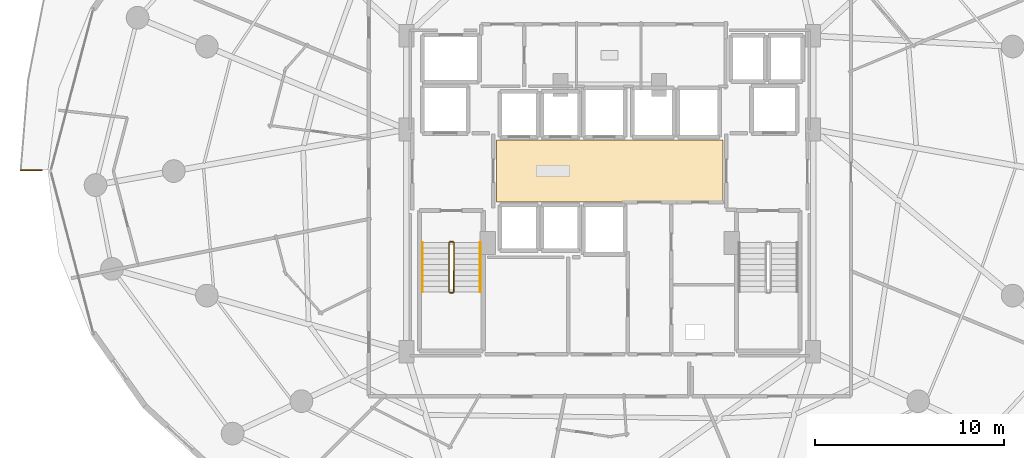
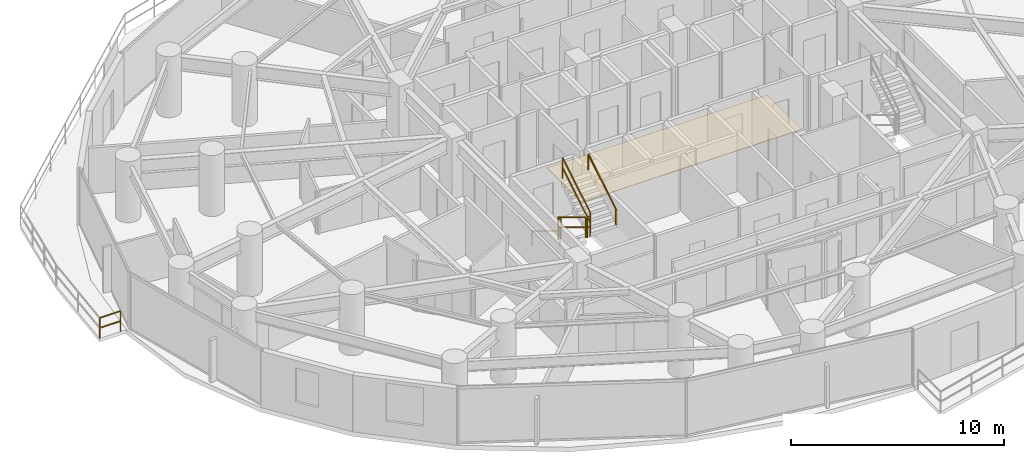
# One storey, part 32 of 35: 7 railings, 1 covering.
"""IFC4 building model written with IfcOpenShell, lengths in metres."""

from ifc_helpers import new_model, si_unit, direction, frame, origin, origin_2d, place, context, subcontext, project, spatial, polyline, rectangle, outline, extrude, material, layer, layer_set, type_object, element, save


model = new_model("IFC4")

# Units and contexts
model_context = context("Model", 3, precision=1e-05, world=origin(), true_north=direction((0.0, 1.0)))
body_context = subcontext(model_context, "Body", "Model", "MODEL_VIEW")
ifc_project = project(units=[si_unit("LENGTHUNIT", "METRE"), si_unit("AREAUNIT", "SQUARE_METRE"), si_unit("VOLUMEUNIT", "CUBIC_METRE"), si_unit("PLANEANGLEUNIT", "RADIAN"), si_unit("MASSUNIT", "GRAM", prefix="KILO")], contexts=[model_context])

# Site, building, storey
site_placement = place(None, origin())
site = spatial("IfcSite", under=ifc_project, at=site_placement, CompositionType="ELEMENT")
building_placement = place(site_placement, origin())
building = spatial("IfcBuilding", under=site, at=building_placement, Name="Vorneva Point Tower", CompositionType="ELEMENT")
storey_placement = place(building_placement, frame((0.0, 0.0, 52.0)))
storey = spatial("IfcBuildingStorey", under=building, at=storey_placement, Name="L13", CompositionType="ELEMENT", Elevation=52.0)

# Covering
ifc_material_1 = material(Name="Acoustic wool hospitality carpet", Category="textile")
ifc_layer = layer(ifc_material_1, 0.01806640625)
ifc_layer_set = layer_set([ifc_layer], Name="Acoustic wool hospitality carpet")
covering_type = type_object("IfcCoveringType", Name="COV-FLR-CRP", PredefinedType="FLOORING", material=ifc_layer_set)
covering_placement = place(storey_placement, frame((0.0, 0.0, -0.0048828125)))
element("IfcCovering", 1, at=covering_placement, inside=storey, type_object=covering_type, Name="L13 Lift Lobby Floor Finish", PredefinedType="FLOORING", context=body_context, shape_type="SweptSolid", body=[
    extrude(outline(polyline([(32.02001953125, 24.3701171875), (43.97998046875, 24.3701171875), (43.97998046875, 27.6298828125), (32.02001953125, 27.6298828125), (32.02001953125, 24.3701171875)])), origin(), (0.0, 0.0, 1.0), 0.02294921875),
])

# Railings
ifc_material_2 = material(Name="Pale anodised aluminium", Category="aluminium")
railing_type_1 = type_object("IfcRailingType", Name="RL-BAL-1200", PredefinedType="BALUSTRADE", material=ifc_material_2)
railing_1_placement = place(storey_placement, frame((6.84912109375, 26.050048828125, 0.0)))
element("IfcRailing", 2, at=railing_1_placement, inside=storey, type_object=railing_type_1, Name="L13 Wave Balcony Balustrade NW.1", PredefinedType="BALUSTRADE", context=body_context, shape_type="SweptSolid", body=[
    extrude(rectangle(XDim=0.048095703125, YDim=0.048095703125, at=origin_2d()), frame((0.0, 0.0, 1.17578125), z_axis=(1.0, 0.0, 0.0), x_axis=(0.0, 1.0, 0.0)), (0.0, 0.0, 1.0), 1.134765625),
    extrude(rectangle(XDim=0.048095703125, YDim=0.048095703125, at=origin_2d()), frame((0.0, 0.0, 0.60009765625), z_axis=(1.0, 0.0, 0.0), x_axis=(0.0, 1.0, 0.0)), (0.0, 0.0, 1.0), 1.134765625),
    extrude(rectangle(XDim=0.0419921875, YDim=0.0419921875, at=origin_2d()), origin(), (0.0, 0.0, 1.0), 1.15185546875),
    extrude(rectangle(XDim=0.0419921875, YDim=0.0419921875, at=origin_2d()), frame((1.134765625, 0.0, 0.0)), (0.0, 0.0, 1.0), 1.15185546875),
])
ifc_material_3 = material(Name="Brushed stainless steel S304", Category="steel")
railing_type_2 = type_object("IfcRailingType", Name="RL-HND-920", PredefinedType="HANDRAIL", material=ifc_material_3)
railing_2_placement = place(storey_placement, frame((28.10009765625, 22.219970703125, 0.175048828125)))
element("IfcRailing", 3, at=railing_2_placement, inside=storey, type_object=railing_type_2, Name="L13 ST1 stair handrail 1", PredefinedType="HANDRAIL", context=body_context, shape_type="SweptSolid", body=[
    extrude(rectangle(XDim=0.048095703125, YDim=0.048095703125, at=origin_2d()), frame((0.0, 0.0, 0.8759765625), z_axis=(0.0, -0.85618277418, 0.516673066065), x_axis=(1.0, 0.0, 0.0)), (0.0, 0.0, 1.0), 3.04833984375),
    extrude(rectangle(XDim=0.0419921875, YDim=0.0419921875, at=origin_2d()), origin(), (0.0, 0.0, 1.0), 0.851806640625),
    extrude(rectangle(XDim=0.0419921875, YDim=0.0419921875, at=origin_2d()), frame((0.0, -2.60986328125, 1.574951171875)), (0.0, 0.0, 1.0), 0.851806640625),
])
railing_3_placement = place(storey_placement, frame((31.14990234375, 19.610107421875, 1.925048828125)))
element("IfcRailing", 4, at=railing_3_placement, inside=storey, type_object=railing_type_2, Name="L13 ST1 stair handrail 2", PredefinedType="HANDRAIL", context=body_context, shape_type="SweptSolid", body=[
    extrude(rectangle(XDim=0.048095703125, YDim=0.048095703125, at=origin_2d()), frame((0.0, 0.0, 0.8759765625), z_axis=(0.0, 0.85618277418, 0.516673066065), x_axis=(-1.0, 0.0, 0.0)), (0.0, 0.0, 1.0), 3.04833984375),
    extrude(rectangle(XDim=0.0419921875, YDim=0.0419921875, at=origin_2d()), origin(), (0.0, 0.0, 1.0), 0.851806640625),
    extrude(rectangle(XDim=0.0419921875, YDim=0.0419921875, at=origin_2d()), frame((0.0, 2.60986328125, 1.574951171875)), (0.0, 0.0, 1.0), 0.851806640625),
])
railing_type_3 = type_object("IfcRailingType", Name="RL-STG-1100", PredefinedType="GUARDRAIL", material=ifc_material_3)
railing_4_placement = place(storey_placement, frame((29.5, 22.219970703125, 0.175048828125)))
element("IfcRailing", 5, at=railing_4_placement, inside=storey, type_object=railing_type_3, Name="L13 ST1 stair guard 1", PredefinedType="GUARDRAIL", context=body_context, shape_type="SweptSolid", body=[
    extrude(rectangle(XDim=0.048095703125, YDim=0.048095703125, at=origin_2d()), frame((0.0, 0.0, 1.17578125), z_axis=(0.0, -0.85618277418, 0.516673066065), x_axis=(1.0, 0.0, 0.0)), (0.0, 0.0, 1.0), 3.04833984375),
    extrude(rectangle(XDim=0.048095703125, YDim=0.048095703125, at=origin_2d()), frame((0.0, 0.0, 0.60009765625), z_axis=(0.0, -0.85618277418, 0.516673066065), x_axis=(1.0, 0.0, 0.0)), (0.0, 0.0, 1.0), 3.04833984375),
    extrude(rectangle(XDim=0.0419921875, YDim=0.0419921875, at=origin_2d()), origin(), (0.0, 0.0, 1.0), 1.15185546875),
    extrude(rectangle(XDim=0.0419921875, YDim=0.0419921875, at=origin_2d()), frame((0.0, -2.60986328125, 1.574951171875)), (0.0, 0.0, 1.0), 1.15185546875),
])
railing_5_placement = place(storey_placement, frame((29.550048828125, 19.56005859375, 1.75)))
element("IfcRailing", 6, at=railing_5_placement, inside=storey, type_object=railing_type_3, Name="L13 ST1 stair guard 2", PredefinedType="GUARDRAIL", context=body_context, shape_type="SweptSolid", body=[
    extrude(rectangle(XDim=0.048095703125, YDim=0.048095703125, at=origin_2d()), frame((0.0, 0.0, 1.17578125), z_axis=(1.0, 0.0, 0.0), x_axis=(0.0, 1.0, 0.0)), (0.0, 0.0, 1.0), 0.14990234375),
    extrude(rectangle(XDim=0.048095703125, YDim=0.048095703125, at=origin_2d()), frame((0.0, 0.0, 0.60009765625), z_axis=(1.0, 0.0, 0.0), x_axis=(0.0, 1.0, 0.0)), (0.0, 0.0, 1.0), 0.14990234375),
    extrude(rectangle(XDim=0.0419921875, YDim=0.0419921875, at=origin_2d()), origin(), (0.0, 0.0, 1.0), 1.15185546875),
    extrude(rectangle(XDim=0.0419921875, YDim=0.0419921875, at=origin_2d()), frame((0.14990234375, 0.0, 0.0)), (0.0, 0.0, 1.0), 1.15185546875),
])
railing_6_placement = place(storey_placement, frame((29.75, 19.610107421875, 1.925048828125)))
element("IfcRailing", 7, at=railing_6_placement, inside=storey, type_object=railing_type_3, Name="L13 ST1 stair guard 3", PredefinedType="GUARDRAIL", context=body_context, shape_type="SweptSolid", body=[
    extrude(rectangle(XDim=0.048095703125, YDim=0.048095703125, at=origin_2d()), frame((0.0, 0.0, 1.17578125), z_axis=(0.0, 0.85618277418, 0.516673066065), x_axis=(-1.0, 0.0, 0.0)), (0.0, 0.0, 1.0), 3.04833984375),
    extrude(rectangle(XDim=0.048095703125, YDim=0.048095703125, at=origin_2d()), frame((0.0, 0.0, 0.60009765625), z_axis=(0.0, 0.85618277418, 0.516673066065), x_axis=(-1.0, 0.0, 0.0)), (0.0, 0.0, 1.0), 3.04833984375),
    extrude(rectangle(XDim=0.0419921875, YDim=0.0419921875, at=origin_2d()), origin(), (0.0, 0.0, 1.0), 1.15185546875),
    extrude(rectangle(XDim=0.0419921875, YDim=0.0419921875, at=origin_2d()), frame((0.0, 2.60986328125, 1.574951171875)), (0.0, 0.0, 1.0), 1.15185546875),
])
railing_7_placement = place(storey_placement, frame((29.550048828125, 22.27001953125, 0.0)))
element("IfcRailing", 8, at=railing_7_placement, inside=storey, type_object=railing_type_3, Name="L13 ST1 stair guard 4", PredefinedType="GUARDRAIL", context=body_context, shape_type="SweptSolid", body=[
    extrude(rectangle(XDim=0.048095703125, YDim=0.048095703125, at=origin_2d()), frame((0.0, 0.0, 1.17578125), z_axis=(1.0, 0.0, 0.0), x_axis=(0.0, 1.0, 0.0)), (0.0, 0.0, 1.0), 0.14990234375),
    extrude(rectangle(XDim=0.048095703125, YDim=0.048095703125, at=origin_2d()), frame((0.0, 0.0, 0.60009765625), z_axis=(1.0, 0.0, 0.0), x_axis=(0.0, 1.0, 0.0)), (0.0, 0.0, 1.0), 0.14990234375),
    extrude(rectangle(XDim=0.0419921875, YDim=0.0419921875, at=origin_2d()), origin(), (0.0, 0.0, 1.0), 1.15185546875),
    extrude(rectangle(XDim=0.0419921875, YDim=0.0419921875, at=origin_2d()), frame((0.14990234375, 0.0, 0.0)), (0.0, 0.0, 1.0), 1.15185546875),
])

save(model, "model.ifc")
